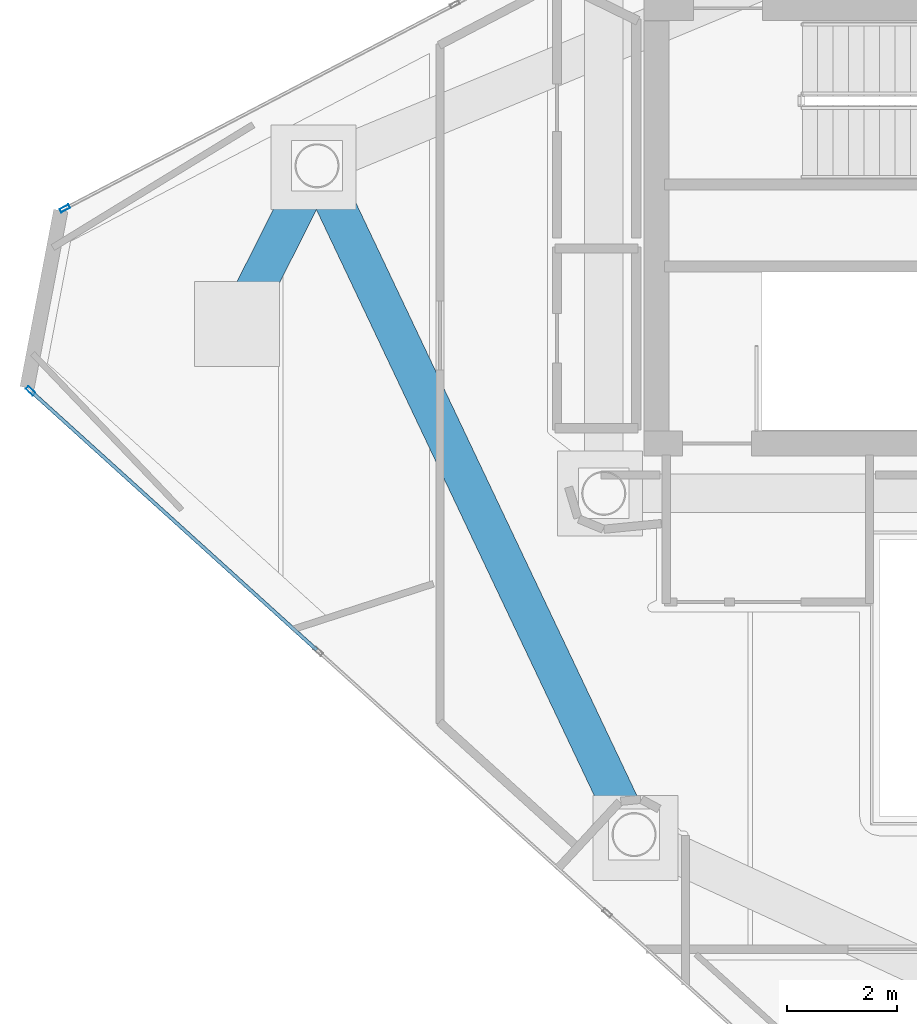
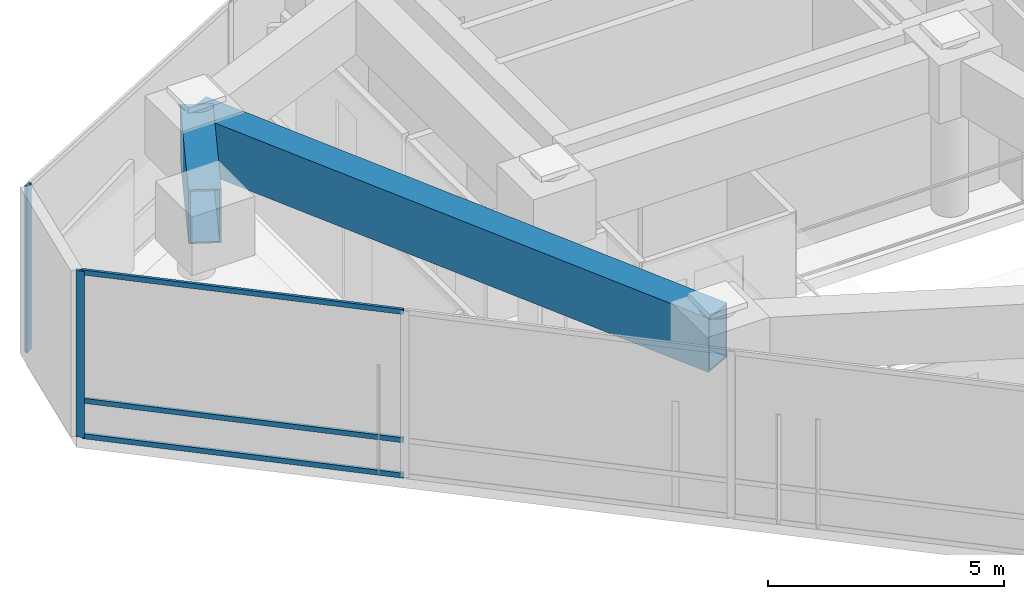
# One storey, part 6 of 17: 5 members, 2 beams, 2 elements without a shape of their own.
"""IFC4 building model written with IfcOpenShell, lengths in metres."""

import ifcopenshell
import ifcopenshell.guid

model = None  # the IFC model being written
_history = None  # IfcOwnerHistory: only IFC2X3 demands one
_inside = {}  # id of a spatial element -> (the spatial element, [elements in it])
_under = {}  # id of a project, library or spatial element -> (it, [spatial elements below it])
_declared = {}  # id of a project -> (the project, [libraries it declares])
_typed = {}  # id of a type object -> (the type object, [elements of that type])
_made_of = {}  # id of a material, layer set ... -> (it, [elements and type objects made of it])


def new_model(schema):
    """Start an empty IFC model of exactly this schema.

    Asked for "IFC4X3", IfcOpenShell would pick the latest addendum, in which some entities
    have other attributes; the version numbers below select the first issue.
    IFC2X3 requires an IfcOwnerHistory on every rooted entity: one is made here for all.
    """
    global model, _history
    if schema == "IFC4X3":
        model = ifcopenshell.file(schema_version=(4, 3, 0, 0))
    else:
        model = ifcopenshell.file(schema=schema)
    _inside.clear()
    _under.clear()
    _declared.clear()
    _typed.clear()
    _made_of.clear()
    _history = None
    if model.schema == "IFC2X3":
        org = make("IfcOrganization", Name="unknown")
        user = make(
            "IfcPersonAndOrganization",
            ThePerson=make("IfcPerson", FamilyName="unknown"),
            TheOrganization=org,
        )
        app = make(
            "IfcApplication",
            ApplicationDeveloper=org,
            Version="unknown",
            ApplicationFullName="unknown",
            ApplicationIdentifier="unknown",
        )
        _history = make(
            "IfcOwnerHistory",
            OwningUser=user,
            OwningApplication=app,
            ChangeAction="ADDED",
            CreationDate=0,
        )
    return model


def make(cls, **values):
    """One entity of the class cls with the attributes given. An attribute that is None is left unset."""
    return model.create_entity(
        cls, **{name: value for name, value in values.items() if value is not None}
    )


def rooted(cls, **values):
    """An entity with a GlobalId (a new one), such as an element, a storey or a relation."""
    return make(cls, GlobalId=ifcopenshell.guid.new(), OwnerHistory=_history, **values)


def si_unit(unit_type, name, prefix=None):
    """IfcSIUnit, for example si_unit("LENGTHUNIT", "METRE", prefix="MILLI")."""
    return make("IfcSIUnit", UnitType=unit_type, Prefix=prefix, Name=name)


def assignment(units):
    """IfcUnitAssignment: the units of a project."""
    return None if units is None else make("IfcUnitAssignment", Units=units)


def point(xyz):
    """IfcCartesianPoint."""
    return None if xyz is None else make("IfcCartesianPoint", Coordinates=xyz)


def direction(xyz):
    """IfcDirection."""
    return None if xyz is None else make("IfcDirection", DirectionRatios=xyz)


def frame(location, z_axis=None, x_axis=None):
    """IfcAxis2Placement3D, a coordinate frame: its origin and axes. An axis left out is left unset."""
    return make(
        "IfcAxis2Placement3D",
        Location=point(location),
        Axis=direction(z_axis),
        RefDirection=direction(x_axis),
    )


def frame_2d(location, x_axis=None):
    """IfcAxis2Placement2D, a coordinate frame in the plane: its origin and x axis."""
    return make(
        "IfcAxis2Placement2D", Location=point(location), RefDirection=direction(x_axis)
    )


def origin():
    """The frame at (0, 0, 0) with its axes left unset."""
    return frame((0.0, 0.0, 0.0))


def origin_2d():
    """The frame at (0, 0) in the plane with its x axis left unset."""
    return frame_2d((0.0, 0.0))


def place(relative_to, where):
    """IfcLocalPlacement: puts the frame where relative to a parent placement (None: the world)."""
    return make(
        "IfcLocalPlacement", PlacementRelTo=relative_to, RelativePlacement=where
    )


def context(
    kind, dimensions, precision=None, world=None, true_north=None, identifier=None
):
    """IfcGeometricRepresentationContext, for example the 3D "Model" context."""
    return make(
        "IfcGeometricRepresentationContext",
        ContextIdentifier=identifier,
        ContextType=kind,
        CoordinateSpaceDimension=dimensions,
        Precision=precision,
        WorldCoordinateSystem=world,
        TrueNorth=true_north,
    )


def subcontext(parent, identifier, kind, view, scale=None):
    """IfcGeometricRepresentationSubContext, for example "Body" below "Model"."""
    return make(
        "IfcGeometricRepresentationSubContext",
        ContextIdentifier=identifier,
        ContextType=kind,
        ParentContext=parent,
        TargetScale=scale,
        TargetView=view,
    )


def project(units=None, contexts=None):
    """IfcProject with its units and contexts."""
    return rooted(
        "IfcProject",
        Name="project",
        RepresentationContexts=contexts,
        UnitsInContext=assignment(units),
    )


def spatial(cls, under=None, at=None, **own):
    """A site, building, storey or space (cls), placed at a placement, below another one or the project."""
    s = rooted(cls, ObjectPlacement=at, **own)
    if under is not None:
        _under.setdefault(under.id(), (under, []))[1].append(s)
    return s


def profile(cls, at=None, kind="AREA", **sizes):
    """A parametric profile (cls). Its sizes go by their IFC names, for example OverallWidth=200.0."""
    return make(cls, ProfileType=kind, Position=at, **sizes)


def hollow_rectangle(**sizes):
    """IfcRectangleHollowProfileDef."""
    return profile("IfcRectangleHollowProfileDef", **sizes)


def extrude(swept, where, along, depth):
    """IfcExtrudedAreaSolid: the profile swept, set in the frame where, extruded along a direction by depth."""
    return make(
        "IfcExtrudedAreaSolid",
        SweptArea=swept,
        Position=where,
        ExtrudedDirection=direction(along),
        Depth=depth,
    )


def shape(context_of_items, identifier, shape_type, items):
    """IfcShapeRepresentation: the items that make up one representation, for example the "Body"."""
    return make(
        "IfcShapeRepresentation",
        ContextOfItems=context_of_items,
        RepresentationIdentifier=identifier,
        RepresentationType=shape_type,
        Items=items,
    )


def material(Name=None, Category=None):
    """IfcMaterial."""
    return make("IfcMaterial", Name=Name, Category=Category)


def layer(
    of_material, thickness, ventilated=None, Name=None, Category=None, Priority=None
):
    """IfcMaterialLayer: one layer of a wall or slab, of a material (None: an air gap)."""
    return make(
        "IfcMaterialLayer",
        Material=of_material,
        LayerThickness=thickness,
        IsVentilated=ventilated,
        Name=Name,
        Category=Category,
        Priority=Priority,
    )


def layer_set(layers, Name=None):
    """IfcMaterialLayerSet."""
    return make("IfcMaterialLayerSet", MaterialLayers=layers, LayerSetName=Name)


def material_profile(
    of_material, cross_section, Name=None, Category=None, Priority=None
):
    """IfcMaterialProfile: a cross section and its material."""
    return make(
        "IfcMaterialProfile",
        Name=Name,
        Material=of_material,
        Profile=cross_section,
        Priority=Priority,
        Category=Category,
    )


def profile_set(profiles, Name=None, composite=None):
    """IfcMaterialProfileSet."""
    return make(
        "IfcMaterialProfileSet",
        Name=Name,
        MaterialProfiles=profiles,
        CompositeProfile=composite,
    )


def made_of(thing, what):
    """Note that an element or type object is made of a material, layer set ...; save() writes the relation."""
    if what is not None:
        _made_of.setdefault(what.id(), (what, []))[1].append(thing)
    return thing


def type_object(cls, material=None, **own):
    """A type object (cls), such as IfcWallType, which elements share."""
    return made_of(rooted(cls, **own), material)


def element(
    cls,
    number,
    at=None,
    inside=None,
    cuts=None,
    type_object=None,
    material=None,
    context=None,
    identifier="Body",
    shape_type=None,
    held_by="IfcProductDefinitionShape",
    body=None,
    shapes=None,
    **own,
):
    """One element of the class cls, such as IfcWall. Its Tag is "e" and its number.

    at: its placement. inside: the storey or other place that contains it. cuts: it is an
    opening in that element (IfcRelVoidsElement). A single representation is given by context,
    identifier, shape_type and body (its items); several are given by shapes. held_by: the class
    of the entity that holds the representations. save() writes the other relations.
    """
    e = rooted(cls, Tag="e%d" % number, ObjectPlacement=at, **own)
    if body is not None:
        shapes = [shape(context, identifier, shape_type, body)]
    if shapes is not None:
        e.Representation = make(held_by, Representations=shapes)
    if inside is not None:
        _inside.setdefault(inside.id(), (inside, []))[1].append(e)
    if cuts is not None:
        rooted(
            "IfcRelVoidsElement", RelatingBuildingElement=cuts, RelatedOpeningElement=e
        )
    if type_object is not None:
        _typed.setdefault(type_object.id(), (type_object, []))[1].append(e)
    return made_of(e, material)


def aggregate(whole, parts):
    """IfcRelAggregates: a whole, such as a stair, and the parts it consists of."""
    return rooted("IfcRelAggregates", RelatingObject=whole, RelatedObjects=parts)


def save(model, path):
    """Write the relations noted so far, then the file.

    IfcRelAggregates (storeys below a building ...), IfcRelContainedInSpatialStructure (elements
    in a storey), IfcRelDefinesByType, IfcRelAssociatesMaterial and IfcRelDeclares: one each for
    every whole, place, type object, material and project.
    """
    for whole, parts in _under.values():
        aggregate(whole, parts)
    for where, things in _inside.values():
        rooted(
            "IfcRelContainedInSpatialStructure",
            RelatedElements=things,
            RelatingStructure=where,
        )
    for kind, things in _typed.values():
        rooted("IfcRelDefinesByType", RelatedObjects=things, RelatingType=kind)
    for what, things in _made_of.values():
        rooted("IfcRelAssociatesMaterial", RelatedObjects=things, RelatingMaterial=what)
    for by, libraries in _declared.values():
        rooted("IfcRelDeclares", RelatingContext=by, RelatedDefinitions=libraries)
    model.write(path)


model = new_model("IFC4")

# Units and contexts
model_context = context("Model", 3, precision=1e-05, world=origin(), true_north=direction((0.0, 1.0)))
body_context = subcontext(model_context, "Body", "Model", "MODEL_VIEW")
ifc_project = project(units=[si_unit("LENGTHUNIT", "METRE"), si_unit("AREAUNIT", "SQUARE_METRE"), si_unit("VOLUMEUNIT", "CUBIC_METRE"), si_unit("PLANEANGLEUNIT", "RADIAN"), si_unit("MASSUNIT", "GRAM", prefix="KILO")], contexts=[model_context])

# Site, building, storey
site_placement = place(None, origin())
site = spatial("IfcSite", under=ifc_project, at=site_placement, CompositionType="ELEMENT")
building_placement = place(site_placement, origin())
building = spatial("IfcBuilding", under=site, at=building_placement, Name="Qianvela Tower", CompositionType="ELEMENT")
storey_placement = place(building_placement, frame((0.0, 0.0, 351.800048828125)))
storey = spatial("IfcBuildingStorey", under=building, at=storey_placement, Name="L91", CompositionType="ELEMENT", Elevation=351.800048828125)

# Beams
ifc_material_1 = material(Name="Steel Q420GJC", Category="steel")
ifc_material_profile_1 = material_profile(ifc_material_1, hollow_rectangle(XDim=0.699951171875, YDim=1.39990234375, WallThickness=0.0400390625, at=origin_2d()), Name="TG-BOX-1400x700x40")
ifc_profile_set_1 = profile_set([ifc_material_profile_1], Name="Steel Q420GJC")
beam_type_1 = type_object("IfcBeamType", Name="BM-TG-RAD-1400", PredefinedType="BEAM", material=ifc_profile_set_1)
beam_1_placement = place(storey_placement, frame((23.39990234375, 29.7890625, 3.597900390625), z_axis=(0.428430375526, -0.903574796753, 0.0), x_axis=(0.903574796753, 0.428430375526, 0.0)))
element("IfcBeam", 1, at=beam_1_placement, inside=storey, type_object=beam_type_1, Name="L91 Perimeter Ring Transfer Girder 3", PredefinedType="BEAM", context=body_context, shape_type="SweptSolid", body=[
    extrude(hollow_rectangle(XDim=0.699951171875, YDim=1.39990234375, WallThickness=0.0400390625, at=origin_2d()), origin(), (0.0, 0.0, 1.0), 13.421142578125),
])
ifc_material_2 = material(Name="Steel Q420GJC", Category="steel")
ifc_material_profile_2 = material_profile(ifc_material_2, hollow_rectangle(XDim=0.699951171875, YDim=1.39990234375, WallThickness=0.0400390625, at=origin_2d()), Name="TG-BOX-1400x700x40")
ifc_profile_set_2 = profile_set([ifc_material_profile_2], Name="Steel Q420GJC")
beam_type_2 = type_object("IfcBeamType", Name="BM-TG-STEP-1400", PredefinedType="BEAM", material=ifc_profile_set_2)
beam_2_placement = place(storey_placement, frame((23.39990234375, 29.7890625, 3.597900390625), z_axis=(-0.450372397243, -0.892840805408, 0.0), x_axis=(0.892840805408, -0.450372397243, 0.0)))
element("IfcBeam", 2, at=beam_2_placement, inside=storey, type_object=beam_type_2, Name="L91 Crown Post Step Transfer Girder 3", PredefinedType="BEAM", context=body_context, shape_type="SweptSolid", body=[
    extrude(hollow_rectangle(XDim=0.699951171875, YDim=1.39990234375, WallThickness=0.0400390625, at=origin_2d()), origin(), (0.0, 0.0, 1.0), 3.150634765625),
])

# Curtain wall, member
ifc_material_3 = material(Name="Anodised Architectural Aluminium and Low-E Glass", Category="aluminium")
ifc_layer = layer(ifc_material_3, 0.18994140625)
ifc_layer_set = layer_set([ifc_layer], Name="Anodised Architectural Aluminium and Low-E Glass")
curtain_wall_type = type_object("IfcCurtainWallType", Name="CW-SKYLOBBY", PredefinedType="USERDEFINED", material=ifc_layer_set)
curtain_wall_1_placement = place(storey_placement, origin())
curtain_wall_1 = element("IfcCurtainWall", 3, at=curtain_wall_1_placement, inside=storey, type_object=curtain_wall_type, Name="L91 CW-SKYLOBBY Curtain Wall 02", ObjectType="CURTAIN_WALL_SYSTEM", PredefinedType="USERDEFINED")
ifc_material_4 = material(Name="Anodised Architectural Aluminium 6063-T6", Category="aluminium")
ifc_material_profile_3 = material_profile(ifc_material_4, hollow_rectangle(XDim=0.070068359375, YDim=0.179931640625, WallThickness=0.0048828125, at=origin_2d()), Name="ALU-MULL-70x180")
ifc_profile_set_3 = profile_set([ifc_material_profile_3], Name="Anodised Architectural Aluminium 6063-T6")
member_type_1 = type_object("IfcMemberType", Name="CW-SKYLOBBY-MULL", PredefinedType="MULLION", material=ifc_profile_set_3)
member_1_placement = place(storey_placement, frame((18.828125, 29.015380859375, 0.0), z_axis=(0.0, 0.0, 1.0), x_axis=(0.463889947302, -0.885892835953, 0.0)))
member_1 = element("IfcMember", 4, at=member_1_placement, type_object=member_type_1, Name="CW-7 mullion 6", PredefinedType="MULLION", context=body_context, shape_type="SweptSolid", body=[
    extrude(hollow_rectangle(XDim=0.070068359375, YDim=0.179931640625, WallThickness=0.0048828125, at=origin_2d()), origin(), (0.0, 0.0, 1.0), 4.300048828125),
])
aggregate(curtain_wall_1, [member_1])

# Curtain wall, members
curtain_wall_2_placement = place(storey_placement, origin())
curtain_wall_2 = element("IfcCurtainWall", 5, at=curtain_wall_2_placement, inside=storey, type_object=curtain_wall_type, Name="L91 CW-SKYLOBBY Curtain Wall 04", ObjectType="CURTAIN_WALL_SYSTEM", PredefinedType="USERDEFINED")
member_2_placement = place(storey_placement, frame((18.204833984375, 25.70849609375, 0.0), z_axis=(0.0, 0.0, 1.0), x_axis=(0.671203127523, 0.741273472885, 0.0)))
member_2 = element("IfcMember", 6, at=member_2_placement, type_object=member_type_1, Name="CW-7 mullion 1", PredefinedType="MULLION", context=body_context, shape_type="SweptSolid", body=[
    extrude(hollow_rectangle(XDim=0.070068359375, YDim=0.179931640625, WallThickness=0.0048828125, at=origin_2d()), origin(), (0.0, 0.0, 1.0), 4.300048828125),
])
ifc_material_5 = material(Name="Anodised Architectural Aluminium 6063-T6", Category="aluminium")
ifc_material_profile_4 = material_profile(ifc_material_5, hollow_rectangle(XDim=0.06494140625, YDim=0.1298828125, WallThickness=0.00439453125, at=origin_2d()), Name="ALU-TRAN-65x130")
ifc_profile_set_4 = profile_set([ifc_material_profile_4], Name="Anodised Architectural Aluminium 6063-T6")
member_type_2 = type_object("IfcMemberType", Name="CW-SKYLOBBY-TRAN", PredefinedType="USERDEFINED", material=ifc_profile_set_4)
member_3_placement = place(storey_placement, frame((18.23095703125, 25.68505859375, 0.032470703125), z_axis=(0.741267540225, -0.671209679466, 0.0), x_axis=(0.671209679466, 0.741267540225, 0.0)))
member_3 = element("IfcMember", 7, at=member_3_placement, type_object=member_type_2, Name="CW-7 transom 1.1", ObjectType="TRANSOM", PredefinedType="USERDEFINED", context=body_context, shape_type="SweptSolid", body=[
    extrude(hollow_rectangle(XDim=0.06494140625, YDim=0.1298828125, WallThickness=0.00439453125, at=origin_2d()), origin(), (0.0, 0.0, 1.0), 6.96630859375),
])
member_4_placement = place(storey_placement, frame((18.23095703125, 25.68505859375, 0.949951171875), z_axis=(0.741267540225, -0.671209679466, 0.0), x_axis=(0.671209679466, 0.741267540225, 0.0)))
member_4 = element("IfcMember", 8, at=member_4_placement, type_object=member_type_2, Name="CW-7 transom 1.2", ObjectType="TRANSOM", PredefinedType="USERDEFINED", context=body_context, shape_type="SweptSolid", body=[
    extrude(hollow_rectangle(XDim=0.06494140625, YDim=0.1298828125, WallThickness=0.00439453125, at=origin_2d()), origin(), (0.0, 0.0, 1.0), 6.96630859375),
])
member_5_placement = place(storey_placement, frame((18.23095703125, 25.68505859375, 4.267333984375), z_axis=(0.741267540225, -0.671209679466, 0.0), x_axis=(0.671209679466, 0.741267540225, 0.0)))
member_5 = element("IfcMember", 9, at=member_5_placement, type_object=member_type_2, Name="CW-7 transom 1.3", ObjectType="TRANSOM", PredefinedType="USERDEFINED", context=body_context, shape_type="SweptSolid", body=[
    extrude(hollow_rectangle(XDim=0.06494140625, YDim=0.1298828125, WallThickness=0.00439453125, at=origin_2d()), origin(), (0.0, 0.0, 1.0), 6.96630859375),
])
aggregate(curtain_wall_2, [member_2, member_3, member_4, member_5])

save(model, "model.ifc")
